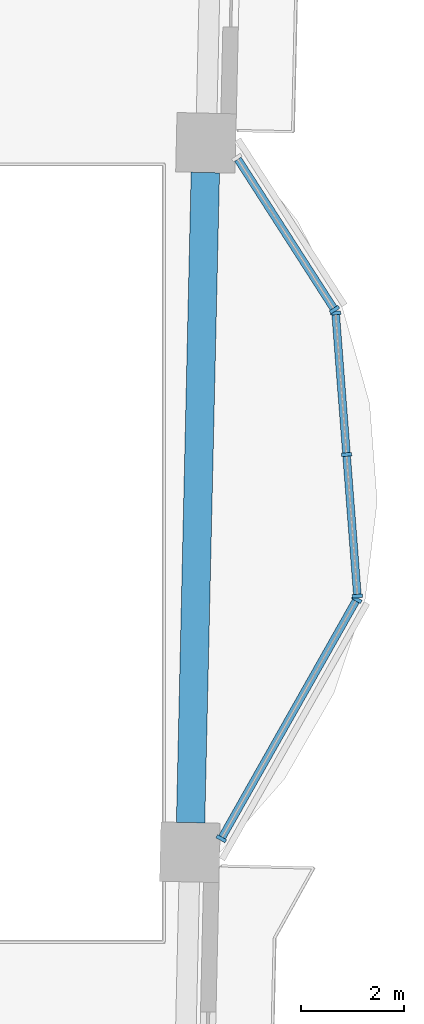
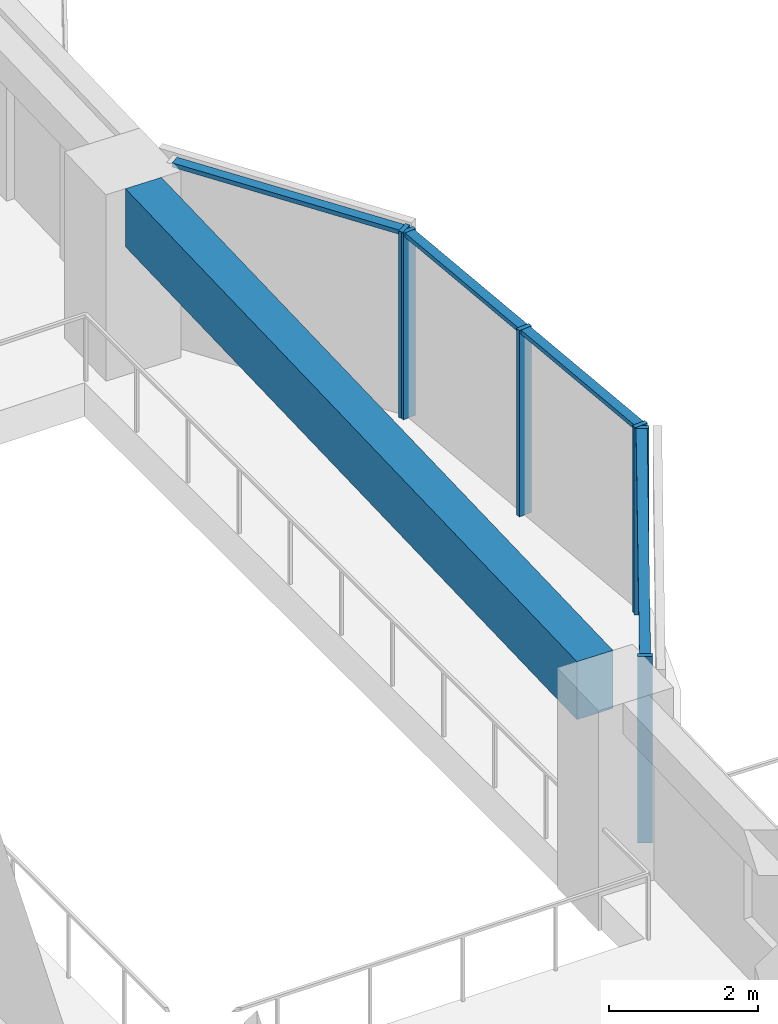
# One storey, part 2 of 16: 10 members, 1 beam, 3 elements without a shape of their own.
"""IFC4 building model written with IfcOpenShell, lengths in metres."""

from ifc_helpers import new_model, si_unit, direction, frame, origin, origin_2d, place, context, subcontext, project, spatial, rectangle, extrude, material, material_profile, profile_set, type_object, element, aggregate, save


model = new_model("IFC4")

# Units and contexts
model_context = context("Model", 3, precision=1e-05, world=origin(), true_north=direction((0.0, 1.0)))
body_context = subcontext(model_context, "Body", "Model", "MODEL_VIEW")
ifc_project = project(units=[si_unit("LENGTHUNIT", "METRE"), si_unit("AREAUNIT", "SQUARE_METRE"), si_unit("VOLUMEUNIT", "CUBIC_METRE"), si_unit("PLANEANGLEUNIT", "RADIAN"), si_unit("MASSUNIT", "GRAM", prefix="KILO")], contexts=[model_context])

# Site, building, storey
site_placement = place(None, origin())
site = spatial("IfcSite", under=ifc_project, at=site_placement, CompositionType="ELEMENT")
building_placement = place(site_placement, origin())
building = spatial("IfcBuilding", under=site, at=building_placement, Name="Mangrove Gate Tower", CompositionType="ELEMENT")
storey_placement = place(building_placement, frame((0.0, 0.0, 197.89990234375)))
storey = spatial("IfcBuildingStorey", under=building, at=storey_placement, Name="L50", CompositionType="ELEMENT", Elevation=197.89990234375)

# Curtain wall, members
ifc_material_1 = material(Name="Aluminium and glass curtain wall", Category="aluminium")
curtain_wall_type = type_object("IfcCurtainWallType", Name="Atrium garden-court glazing wall", PredefinedType="NOTDEFINED", material=ifc_material_1)
curtain_wall_1_placement = place(storey_placement, origin())
curtain_wall_1 = element("IfcCurtainWall", 1, at=curtain_wall_1_placement, inside=storey, type_object=curtain_wall_type, Name="Atrium garden-court glazing E1f1", PredefinedType="NOTDEFINED")
ifc_material_2 = material(Name="Aluminium alloy 6063-T6", Category="aluminium")
ifc_material_profile_1 = material_profile(ifc_material_2, rectangle(XDim=0.070068359375, YDim=0.199951171875, at=origin_2d()))
ifc_profile_set_1 = profile_set([ifc_material_profile_1], Name="Aluminium alloy 6063-T6")
member_type_1 = type_object("IfcMemberType", Name="Atrium garden-court glazing mullion 70x200", PredefinedType="MULLION", material=ifc_profile_set_1)
member_1_placement = place(storey_placement, frame((24.141845703125, -5.53564453125, 0.0), z_axis=(0.0, 0.0, 1.0), x_axis=(0.492599932635, 0.870255885569, 0.0)))
member_1 = element("IfcMember", 2, at=member_1_placement, type_object=member_type_1, Name="CWA mullion 1", PredefinedType="MULLION", context=body_context, shape_type="SweptSolid", body=[
    extrude(rectangle(XDim=0.070068359375, YDim=0.199951171875, at=origin_2d()), origin(), (0.0, 0.0, 1.0), 3.050048828125),
])
member_2_placement = place(storey_placement, frame((26.7666015625, -0.8984375, 0.0), z_axis=(0.0, 0.0, 1.0), x_axis=(0.492599932635, 0.870255885569, 0.0)))
member_2 = element("IfcMember", 3, at=member_2_placement, type_object=member_type_1, Name="CWA mullion 2", PredefinedType="MULLION", context=body_context, shape_type="SweptSolid", body=[
    extrude(rectangle(XDim=0.070068359375, YDim=0.199951171875, at=origin_2d()), origin(), (0.0, 0.0, 1.0), 3.050048828125),
])

curtain_wall_2_placement = place(storey_placement, origin())
curtain_wall_2 = element("IfcCurtainWall", 4, at=curtain_wall_2_placement, inside=storey, type_object=curtain_wall_type, Name="Atrium garden-court glazing E1f2", PredefinedType="NOTDEFINED")
member_3_placement = place(storey_placement, frame((26.78125, -0.8330078125, 0.0), z_axis=(0.0, 0.0, 1.0), x_axis=(-0.077023348229, 0.997029289353, 0.0)))
member_3 = element("IfcMember", 5, at=member_3_placement, type_object=member_type_1, Name="CWA mullion 1", PredefinedType="MULLION", context=body_context, shape_type="SweptSolid", body=[
    extrude(rectangle(XDim=0.070068359375, YDim=0.199951171875, at=origin_2d()), origin(), (0.0, 0.0, 1.0), 3.050048828125),
])
member_4_placement = place(storey_placement, frame((26.5693359375, 1.910400390625, 0.0), z_axis=(0.0, 0.0, 1.0), x_axis=(-0.077023348229, 0.997029289353, 0.0)))
member_4 = element("IfcMember", 6, at=member_4_placement, type_object=member_type_1, Name="CWA mullion 2", PredefinedType="MULLION", context=body_context, shape_type="SweptSolid", body=[
    extrude(rectangle(XDim=0.070068359375, YDim=0.199951171875, at=origin_2d()), origin(), (0.0, 0.0, 1.0), 3.050048828125),
])
member_5_placement = place(storey_placement, frame((26.357177734375, 4.654052734375, 0.0), z_axis=(0.0, 0.0, 1.0), x_axis=(-0.077023348229, 0.997029289353, 0.0)))
member_5 = element("IfcMember", 7, at=member_5_placement, type_object=member_type_1, Name="CWA mullion 3", PredefinedType="MULLION", context=body_context, shape_type="SweptSolid", body=[
    extrude(rectangle(XDim=0.070068359375, YDim=0.199951171875, at=origin_2d()), origin(), (0.0, 0.0, 1.0), 3.050048828125),
])

# Curtain wall, member
curtain_wall_3_placement = place(storey_placement, origin())
curtain_wall_3 = element("IfcCurtainWall", 8, at=curtain_wall_3_placement, inside=storey, type_object=curtain_wall_type, Name="Atrium garden-court glazing E1f3", PredefinedType="NOTDEFINED")
member_6_placement = place(storey_placement, frame((26.335693359375, 4.71826171875, 0.0), z_axis=(0.0, 0.0, 1.0), x_axis=(-0.540523066602, 0.841329195067, 0.0)))
member_6 = element("IfcMember", 9, at=member_6_placement, type_object=member_type_1, Name="CWA mullion 1", PredefinedType="MULLION", context=body_context, shape_type="SweptSolid", body=[
    extrude(rectangle(XDim=0.070068359375, YDim=0.199951171875, at=origin_2d()), origin(), (0.0, 0.0, 1.0), 3.050048828125),
])

# Member
ifc_material_3 = material(Name="Aluminium alloy 6063-T6", Category="aluminium")
ifc_material_profile_2 = material_profile(ifc_material_3, rectangle(XDim=0.070068359375, YDim=0.14990234375, at=origin_2d()))
ifc_profile_set_2 = profile_set([ifc_material_profile_2], Name="Aluminium alloy 6063-T6")
member_type_2 = type_object("IfcMemberType", Name="Atrium garden-court glazing transom 70x150", PredefinedType="USERDEFINED", material=ifc_profile_set_2)
member_7_placement = place(storey_placement, frame((24.158935546875, -5.505126953125, 3.01513671875), z_axis=(0.492604854248, 0.870253099719, 0.0), x_axis=(0.0, 0.0, 1.0)))
member_7 = element("IfcMember", 10, at=member_7_placement, type_object=member_type_2, Name="CWA transom 1.2", ObjectType="TRANSOM", PredefinedType="USERDEFINED", context=body_context, shape_type="SweptSolid", body=[
    extrude(rectangle(XDim=0.070068359375, YDim=0.14990234375, at=origin_2d()), origin(), (0.0, 0.0, 1.0), 5.258544921875),
])

aggregate(curtain_wall_1, [member_1, member_2, member_7])

member_8_placement = place(storey_placement, frame((26.778564453125, -0.798095703125, 3.01513671875), z_axis=(-0.077023719707, 0.997029260655, 0.0), x_axis=(0.0, 0.0, 1.0)))
member_8 = element("IfcMember", 11, at=member_8_placement, type_object=member_type_2, Name="CWA transom 1.2", ObjectType="TRANSOM", PredefinedType="USERDEFINED", context=body_context, shape_type="SweptSolid", body=[
    extrude(rectangle(XDim=0.070068359375, YDim=0.14990234375, at=origin_2d()), origin(), (0.0, 0.0, 1.0), 2.681640625),
])

member_9_placement = place(storey_placement, frame((26.56640625, 1.9453125, 3.01513671875), z_axis=(-0.07701672858, 0.997029800718, 0.0), x_axis=(0.0, 0.0, 1.0)))
member_9 = element("IfcMember", 12, at=member_9_placement, type_object=member_type_2, Name="CWA transom 2.2", ObjectType="TRANSOM", PredefinedType="USERDEFINED", context=body_context, shape_type="SweptSolid", body=[
    extrude(rectangle(XDim=0.070068359375, YDim=0.14990234375, at=origin_2d()), origin(), (0.0, 0.0, 1.0), 2.681884765625),
])

aggregate(curtain_wall_2, [member_3, member_4, member_5, member_8, member_9])

member_10_placement = place(storey_placement, frame((26.316650390625, 4.747802734375, 3.01513671875), z_axis=(-0.540473277627, 0.841361180571, 0.0), x_axis=(0.0, 0.0, 1.0)))
member_10 = element("IfcMember", 13, at=member_10_placement, type_object=member_type_2, Name="CWA transom 1.2", ObjectType="TRANSOM", PredefinedType="USERDEFINED", context=body_context, shape_type="SweptSolid", body=[
    extrude(rectangle(XDim=0.070068359375, YDim=0.14990234375, at=origin_2d()), origin(), (0.0, 0.0, 1.0), 3.428955078125),
])

aggregate(curtain_wall_3, [member_6, member_10])

# Beam
ifc_material_4 = material(Name="Concrete C50/60", Category="concrete")
ifc_material_profile_3 = material_profile(ifc_material_4, rectangle(XDim=0.550048828125, YDim=0.949951171875, at=origin_2d()))
ifc_profile_set_3 = profile_set([ifc_material_profile_3], Name="Concrete C50/60")
beam_type = type_object("IfcBeamType", Name="Edge beam RC 550x950 C50/60", PredefinedType="BEAM", material=ifc_profile_set_3)
beam_placement = place(storey_placement, frame((23.547119140625, -5.22314453125, 2.5751953125), z_axis=(0.022686638645, 0.999742625093, 0.0), x_axis=(-0.999742625093, 0.022686638645, 0.0)))
element("IfcBeam", 14, at=beam_placement, inside=storey, type_object=beam_type, Name="Edge beam L50 14", PredefinedType="BEAM", context=body_context, shape_type="SweptSolid", body=[
    extrude(rectangle(XDim=0.550048828125, YDim=0.949951171875, at=origin_2d()), origin(), (0.0, 0.0, 1.0), 12.6015625),
])

save(model, "model.ifc")
